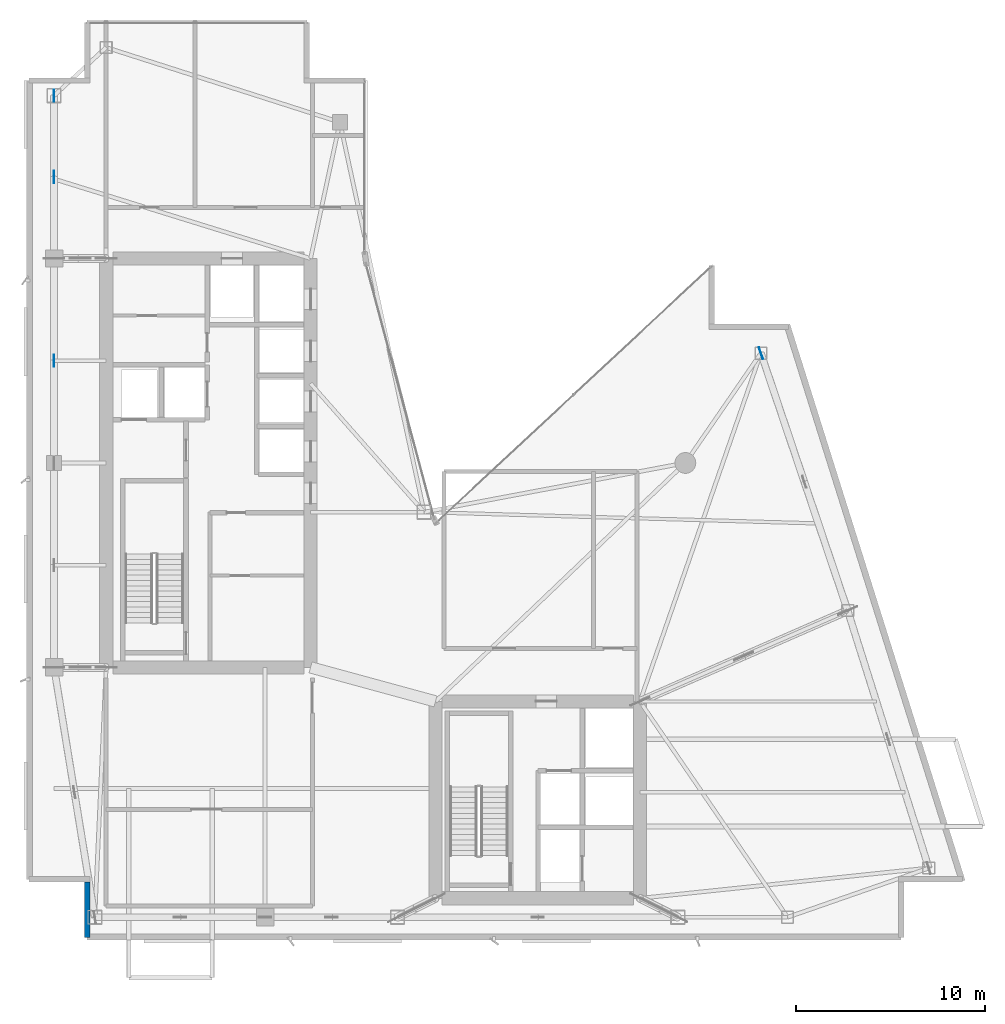
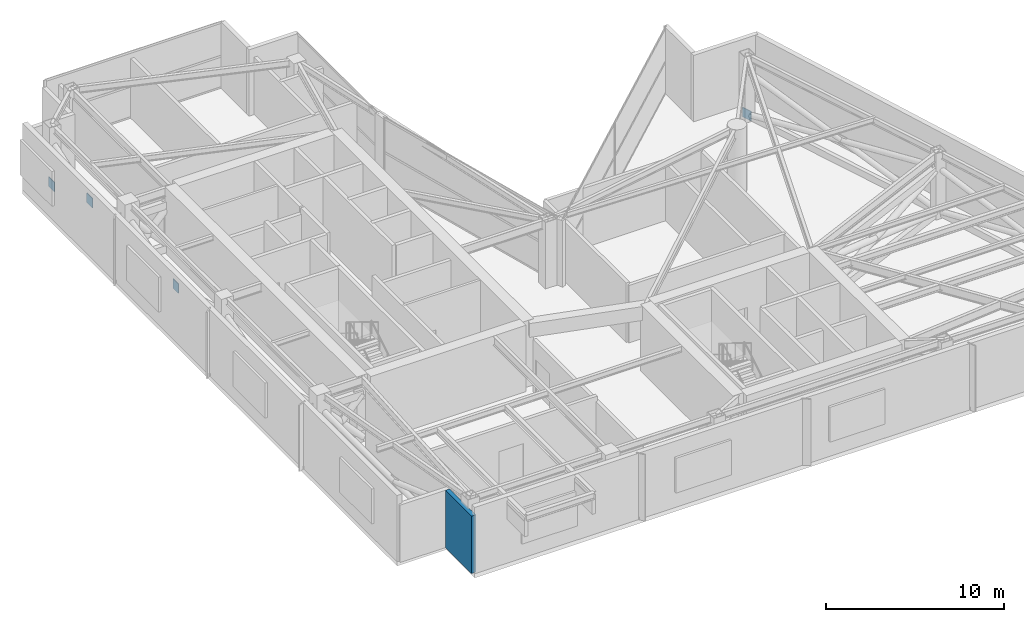
# One storey, part 11 of 16: 4 plates, 1 wall.
"""IFC4 building model written with IfcOpenShell, lengths in metres."""

from ifc_helpers import new_model, si_unit, direction, frame, frame_2d, origin, origin_2d, place, context, subcontext, project, spatial, rectangle, extrude, material, layer, layer_set, type_object, element, save


model = new_model("IFC4")

# Units and contexts
model_context = context("Model", 3, precision=1e-05, world=origin(), true_north=direction((0.0, 1.0)))
body_context = subcontext(model_context, "Body", "Model", "MODEL_VIEW")
ifc_project = project(units=[si_unit("LENGTHUNIT", "METRE"), si_unit("AREAUNIT", "SQUARE_METRE"), si_unit("VOLUMEUNIT", "CUBIC_METRE"), si_unit("PLANEANGLEUNIT", "RADIAN"), si_unit("MASSUNIT", "GRAM", prefix="KILO")], contexts=[model_context])

# Site, building, storey
site_placement = place(None, origin())
site = spatial("IfcSite", under=ifc_project, at=site_placement, CompositionType="ELEMENT")
building_placement = place(site_placement, origin())
building = spatial("IfcBuilding", under=site, at=building_placement, Name="Calvorn Quay Hotel", CompositionType="ELEMENT")
storey_placement = place(building_placement, frame((0.0, 0.0, 234.5)))
storey = spatial("IfcBuildingStorey", under=building, at=storey_placement, Name="L58", CompositionType="ELEMENT", Elevation=234.5)

# Plates
ifc_material_1 = material(Name="Steel Q390GJC", Category="steel")
ifc_layer_1 = layer(ifc_material_1, 0.035888671875)
ifc_layer_set_1 = layer_set([ifc_layer_1], Name="PLT-GUSSET-36")
plate_type = type_object("IfcPlateType", Name="PLT-GUSSET-36", PredefinedType="SHEET", material=ifc_layer_set_1)
for number, where, z_axis, x_axis, name in (
    (1, (1.449951171875, 33.0, 1.52001953125), (0.0, 0.0, 1.0), (0.0, 1.0, 0.0), "Belt Truss Gusset Plate L58-BW3-X"),
    (2, (1.449951171875, 42.699951171875, 1.52001953125), (0.0, 0.0, 1.0), (0.0, 1.0, 0.0), "Belt Truss Gusset Plate L58-BW4-X"),
    (3, (1.449951171875, 47.0, 0.025146484375), (0.0, 0.0, 1.0), (0.0, 1.0, 0.0), "Belt Truss Gusset Plate L58-BW4-B"),
    (4, (38.791015625, 33.39990234375, 0.025146484375), (0.0, 0.0, 1.0), (-0.319455515932, 0.947601273395, 0.0), "Belt Truss Gusset Plate L58-BE2-B"),
):
    element("IfcPlate", number, at=place(storey_placement, frame(where, z_axis=z_axis, x_axis=x_axis)), inside=storey, type_object=plate_type, Name=name, PredefinedType="SHEET", context=body_context, shape_type="SweptSolid", body=[
        extrude(rectangle(XDim=0.64990234375, YDim=0.035888671875, at=origin_2d()), origin(), (0.0, 0.0, 1.0), 0.64990234375),
    ])

# Wall
ifc_material_2 = material(Name="Concrete C40", Category="concrete")
ifc_layer_2 = layer(ifc_material_2, 0.320068359375)
ifc_layer_set_2 = layer_set([ifc_layer_2], Name="WL-EXT-SPANDREL-320")
wall_type = type_object("IfcWallType", Name="WL-EXT-SPANDREL-320", PredefinedType="SOLIDWALL", material=ifc_layer_set_2)
wall_placement = place(storey_placement, frame((3.199951171875, 5.4599609375, 0.0), z_axis=(0.0, 0.0, 1.0), x_axis=(0.0, -1.0, 0.0)))
element("IfcWall", 5, at=wall_placement, inside=storey, type_object=wall_type, Name="Notched Corner Spandrel L58-SW2", PredefinedType="SOLIDWALL", context=body_context, shape_type="SweptSolid", body=[
    extrude(rectangle(XDim=2.93994140625, YDim=0.280029296875, at=frame_2d((1.469970703125, 0.0))), origin(), (0.0, 0.0, 1.0), 3.93994140625),
])

save(model, "model.ifc")
